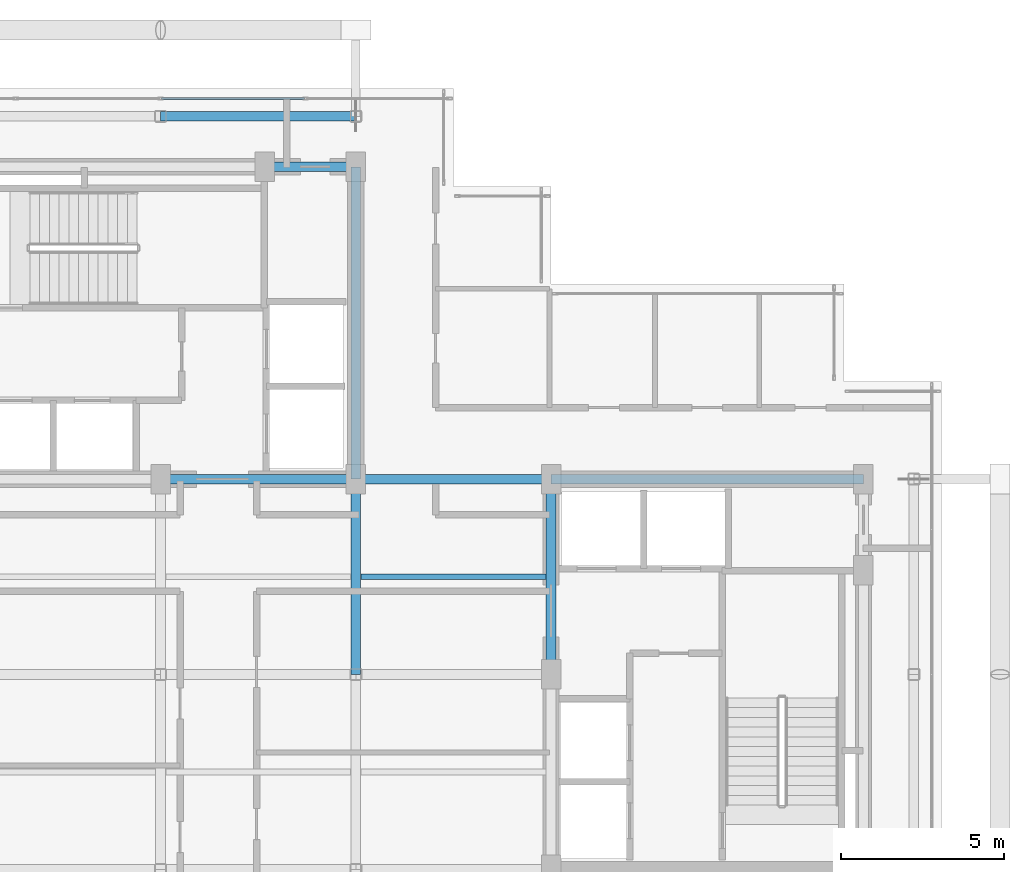
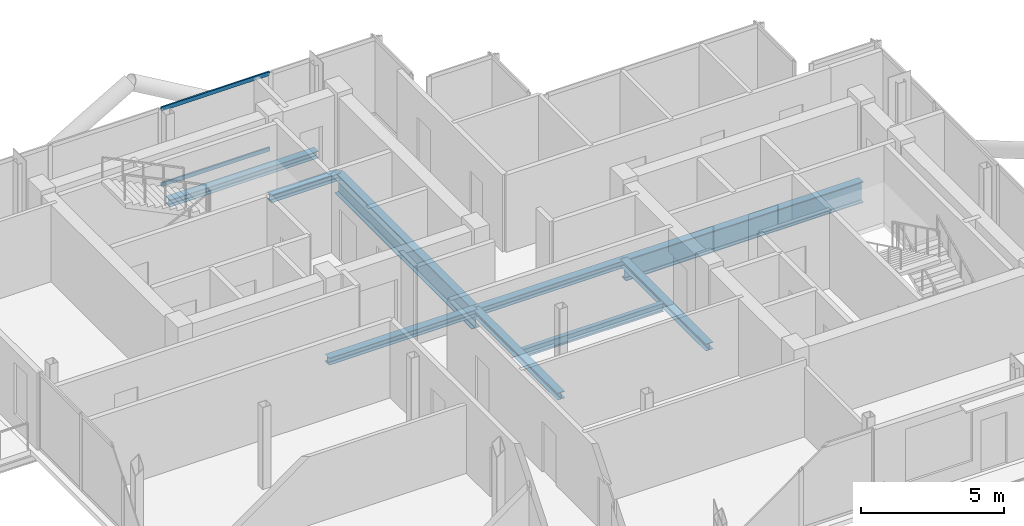
# One storey, part 10 of 19: 9 beams, 2 members, 1 element without a shape of its own.
"""IFC4 building model written with IfcOpenShell, lengths in metres."""

from ifc_helpers import new_model, si_unit, direction, frame, origin, origin_2d, place, context, subcontext, project, spatial, hollow_rectangle, i_section, extrude, material, layer, layer_set, material_profile, profile_set, type_object, element, aggregate, save


model = new_model("IFC4")

# Units and contexts
model_context = context("Model", 3, precision=1e-05, world=origin(), true_north=direction((0.0, 1.0)))
body_context = subcontext(model_context, "Body", "Model", "MODEL_VIEW")
ifc_project = project(units=[si_unit("LENGTHUNIT", "METRE"), si_unit("AREAUNIT", "SQUARE_METRE"), si_unit("VOLUMEUNIT", "CUBIC_METRE"), si_unit("PLANEANGLEUNIT", "RADIAN"), si_unit("MASSUNIT", "GRAM", prefix="KILO"), si_unit("THERMODYNAMICTEMPERATUREUNIT", "KELVIN"), si_unit("POWERUNIT", "WATT")], contexts=[model_context])

# Site, building, storey
site_placement = place(None, origin())
site = spatial("IfcSite", under=ifc_project, at=site_placement, CompositionType="ELEMENT")
building_placement = place(site_placement, origin())
building = spatial("IfcBuilding", under=site, at=building_placement, Name="Svarakhadi Broadcast Tower", CompositionType="ELEMENT")
storey_placement = place(building_placement, frame((0.0, 0.0, 271.199951171875)))
storey = spatial("IfcBuildingStorey", under=building, at=storey_placement, Name="L68", CompositionType="ELEMENT", Elevation=271.199951171875)

# Beam
ifc_material_1 = material(Name="Steel S355J2 (IS 2062 E350C)", Category="steel")
ifc_material_profile_1 = material_profile(ifc_material_1, i_section(OverallWidth=0.169921875, OverallDepth=0.360107421875, WebThickness=0.008056640625, FlangeThickness=0.0126953125, FilletRadius=0.01806640625, at=origin_2d()), Name="NPB 360x170x57")
ifc_profile_set_1 = profile_set([ifc_material_profile_1], Name="Steel S355J2 (IS 2062 E350C)")
beam_type_1 = type_object("IfcBeamType", Name="Beam_NPB360", PredefinedType="BEAM", material=ifc_profile_set_1)
beam_1_placement = place(storey_placement, frame((18.159912109375, 15.0, -0.3798828125), z_axis=(1.0, 0.0, 0.0), x_axis=(0.0, 1.0, 0.0)))
element("IfcBeam", 1, at=beam_1_placement, inside=storey, type_object=beam_type_1, Name="L68 Secondary Composite Beam SB012", PredefinedType="BEAM", context=body_context, shape_type="SweptSolid", body=[
    extrude(i_section(OverallWidth=0.169921875, OverallDepth=0.360107421875, WebThickness=0.008056640625, FlangeThickness=0.0126953125, FilletRadius=0.01806640625, at=origin_2d()), origin(), (0.0, 0.0, 1.0), 5.68017578125),
])

# Curtain wall, members
ifc_material_2 = material(Name="Anodised Bronze Aluminium AA 6063-T6", Category="aluminium")
ifc_layer = layer(ifc_material_2, 0.179931640625)
ifc_layer_set = layer_set([ifc_layer], Name="Anodised Bronze Aluminium AA 6063-T6")
curtain_wall_type = type_object("IfcCurtainWallType", Name="CW_Sys_05", PredefinedType="NOTDEFINED", material=ifc_layer_set)
curtain_wall_placement = place(storey_placement, origin())
curtain_wall = element("IfcCurtainWall", 2, at=curtain_wall_placement, inside=storey, type_object=curtain_wall_type, Name="L68 Unitised Facade Curtain Wall 05", PredefinedType="NOTDEFINED")
ifc_material_profile_2 = material_profile(ifc_material_2, hollow_rectangle(XDim=0.06494140625, YDim=0.1650390625, WallThickness=0.0048828125, at=origin_2d()), Name="ALU TRANSOM 165x65x5")
ifc_profile_set_2 = profile_set([ifc_material_profile_2], Name="Anodised Bronze Aluminium AA 6063-T6")
member_type = type_object("IfcMemberType", Name="CW_Sys_05_Trn", PredefinedType="USERDEFINED", material=ifc_profile_set_2)
member_1_placement = place(storey_placement, frame((12.034912109375, 29.699951171875, 0.032470703125), z_axis=(1.0, 0.0, 0.0), x_axis=(0.0, 1.0, 0.0)))
member_1 = element("IfcMember", 3, at=member_1_placement, type_object=member_type, Name="CW-05 transom 3.1", ObjectType="TRANSOM", PredefinedType="USERDEFINED", context=body_context, shape_type="SweptSolid", body=[
    extrude(hollow_rectangle(XDim=0.06494140625, YDim=0.1650390625, WallThickness=0.0048828125, at=origin_2d()), origin(), (0.0, 0.0, 1.0), 4.385009765625),
])
member_2_placement = place(storey_placement, frame((12.034912109375, 29.699951171875, 3.267578125), z_axis=(1.0, 0.0, 0.0), x_axis=(0.0, 1.0, 0.0)))
member_2 = element("IfcMember", 4, at=member_2_placement, type_object=member_type, Name="CW-05 transom 3.2", ObjectType="TRANSOM", PredefinedType="USERDEFINED", context=body_context, shape_type="SweptSolid", body=[
    extrude(hollow_rectangle(XDim=0.06494140625, YDim=0.1650390625, WallThickness=0.0048828125, at=origin_2d()), origin(), (0.0, 0.0, 1.0), 4.385009765625),
])
aggregate(curtain_wall, [member_1, member_2])

# Beams
ifc_material_profile_3 = material_profile(ifc_material_1, i_section(OverallWidth=0.300048828125, OverallDepth=0.300048828125, WebThickness=0.010986328125, FlangeThickness=0.01904296875, FilletRadius=0.027099609375, at=origin_2d()), Name="WPB 300x300x117")
ifc_profile_set_3 = profile_set([ifc_material_profile_3], Name="Steel S355J2 (IS 2062 E350C)")
beam_type_2 = type_object("IfcBeamType", Name="Girder_WPB300", PredefinedType="USERDEFINED", material=ifc_profile_set_3)
for number, where, z_axis, x_axis, name in (
    (5, (12.0, 18.0, -0.349853515625), (1.0, 0.0, 0.0), (0.0, 1.0, 0.0), "L68 Primary E-W Girder G019"),
    (6, (18.0, 18.0, -0.349853515625), (1.0, 0.0, 0.0), (0.0, 1.0, 0.0), "L68 Primary E-W Girder G020"),
):
    element("IfcBeam", number, at=place(storey_placement, frame(where, z_axis=z_axis, x_axis=x_axis)), inside=storey, type_object=beam_type_2, Name=name, ObjectType="GIRDER", PredefinedType="USERDEFINED", context=body_context, shape_type="SweptSolid", body=[
        extrude(i_section(OverallWidth=0.300048828125, OverallDepth=0.300048828125, WebThickness=0.010986328125, FlangeThickness=0.01904296875, FilletRadius=0.027099609375, at=origin_2d()), origin(), (0.0, 0.0, 1.0), 6.0),
    ])
beam_2_placement = place(storey_placement, frame((15.199951171875, 27.60009765625, -0.349853515625), z_axis=(1.0, 0.0, 0.0), x_axis=(0.0, 1.0, 0.0)))
element("IfcBeam", 7, at=beam_2_placement, inside=storey, type_object=beam_type_2, Name="L68 Primary E-W Girder G023", ObjectType="GIRDER", PredefinedType="USERDEFINED", context=body_context, shape_type="SweptSolid", body=[
    extrude(i_section(OverallWidth=0.300048828125, OverallDepth=0.300048828125, WebThickness=0.010986328125, FlangeThickness=0.01904296875, FilletRadius=0.027099609375, at=origin_2d()), origin(), (0.0, 0.0, 1.0), 2.800048828125),
])
for number, where, z_axis, x_axis, name in (
    (8, (12.0, 29.14990234375, -0.349853515625), (1.0, 0.0, 0.0), (0.0, 1.0, 0.0), "L68 Primary E-W Girder G025"),
    (9, (18.0, 12.0, -0.349853515625), (0.0, 1.0, 0.0), (-1.0, 0.0, 0.0), "L68 Primary N-S Girder G038"),
    (10, (24.0, 12.0, -0.349853515625), (0.0, 1.0, 0.0), (-1.0, 0.0, 0.0), "L68 Primary N-S Girder G042"),
):
    element("IfcBeam", number, at=place(storey_placement, frame(where, z_axis=z_axis, x_axis=x_axis)), inside=storey, type_object=beam_type_2, Name=name, ObjectType="GIRDER", PredefinedType="USERDEFINED", context=body_context, shape_type="SweptSolid", body=[
        extrude(i_section(OverallWidth=0.300048828125, OverallDepth=0.300048828125, WebThickness=0.010986328125, FlangeThickness=0.01904296875, FilletRadius=0.027099609375, at=origin_2d()), origin(), (0.0, 0.0, 1.0), 6.0),
    ])
ifc_material_3 = material(Name="Steel S460ML (IS 2062 E450BR)", Category="steel")
ifc_material_profile_4 = material_profile(ifc_material_3, i_section(OverallWidth=0.300048828125, OverallDepth=0.89990234375, WebThickness=0.0185546875, FlangeThickness=0.034912109375, FilletRadius=0.030029296875, at=origin_2d()), Name="WPB 900x300x291")
ifc_profile_set_4 = profile_set([ifc_material_profile_4], Name="Steel S460ML (IS 2062 E450BR)")
beam_type_3 = type_object("IfcBeamType", Name="Girder_WPB900", PredefinedType="USERDEFINED", material=ifc_profile_set_4)
for number, where, z_axis, x_axis, name in (
    (11, (24.0, 18.0, -0.64990234375), (1.0, 0.0, 0.0), (0.0, 1.0, 0.0), "L68 Primary E-W Girder G021"),
    (12, (18.0, 18.0, -0.64990234375), (0.0, 1.0, 0.0), (-1.0, 0.0, 0.0), "L68 Primary N-S Girder G039"),
):
    element("IfcBeam", number, at=place(storey_placement, frame(where, z_axis=z_axis, x_axis=x_axis)), inside=storey, type_object=beam_type_3, Name=name, ObjectType="GIRDER", PredefinedType="USERDEFINED", context=body_context, shape_type="SweptSolid", body=[
        extrude(i_section(OverallWidth=0.300048828125, OverallDepth=0.89990234375, WebThickness=0.0185546875, FlangeThickness=0.034912109375, FilletRadius=0.030029296875, at=origin_2d()), origin(), (0.0, 0.0, 1.0), 9.60009765625),
    ])

save(model, "model.ifc")
